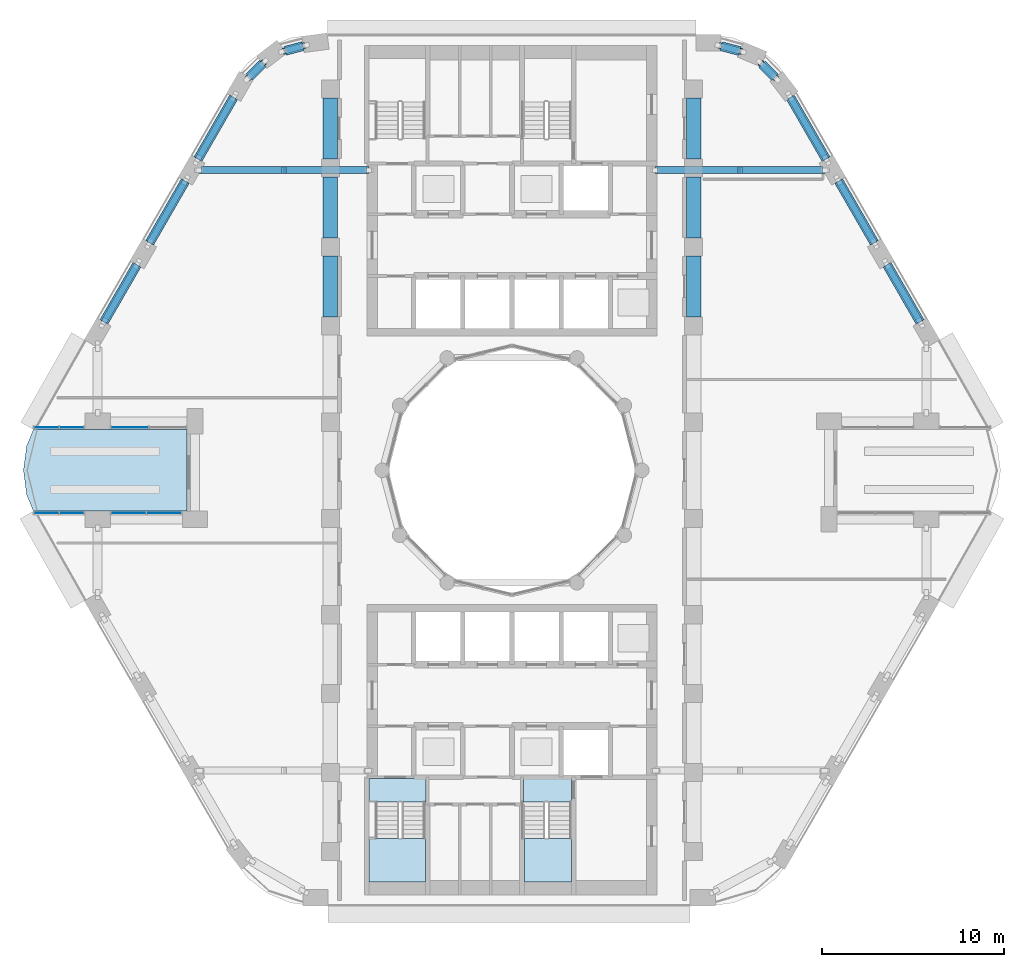
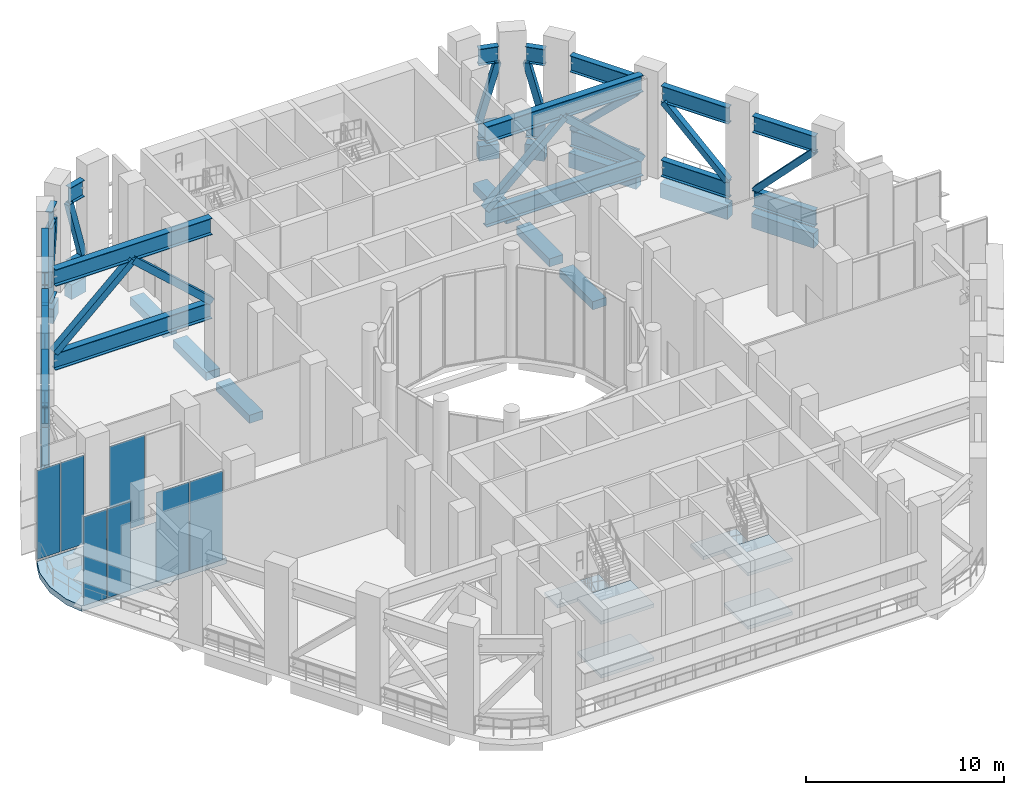
# One storey, part 6 of 21: 38 members, 16 beams, 7 plates, 7 slabs, 6 elements without a shape of their own.
"""IFC4 building model written with IfcOpenShell, lengths in metres."""

from ifc_helpers import new_model, si_unit, direction, frame, origin, origin_2d, place, context, subcontext, project, spatial, polyline, rectangle, hollow_rectangle, i_section, outline, extrude, material, layer, layer_set, material_profile, profile_set, type_object, element, aggregate, save


model = new_model("IFC4")

# Units and contexts
model_context = context("Model", 3, precision=1e-05, world=origin(), true_north=direction((0.0, 1.0)))
body_context = subcontext(model_context, "Body", "Model", "MODEL_VIEW")
ifc_project = project(units=[si_unit("LENGTHUNIT", "METRE"), si_unit("AREAUNIT", "SQUARE_METRE"), si_unit("VOLUMEUNIT", "CUBIC_METRE"), si_unit("PLANEANGLEUNIT", "RADIAN"), si_unit("MASSUNIT", "GRAM", prefix="KILO")], contexts=[model_context])

# Site, building, storey
site_placement = place(None, origin())
site = spatial("IfcSite", under=ifc_project, at=site_placement, CompositionType="ELEMENT")
building_placement = place(site_placement, origin())
building = spatial("IfcBuilding", under=site, at=building_placement, Name="Nakaniwa Court", CompositionType="ELEMENT")
storey_placement = place(building_placement, frame((0.0, 0.0, 120.60009765625)))
storey = spatial("IfcBuildingStorey", under=building, at=storey_placement, Name="S2", CompositionType="ELEMENT", Elevation=120.60009765625)

# Members
ifc_material_1 = material(Name="Steel Grade 350", Category="steel")
ifc_material_profile_1 = material_profile(ifc_material_1, i_section(OverallWidth=0.35009765625, OverallDepth=1.010009765625, WebThickness=0.01611328125, FlangeThickness=0.02490234375, at=origin_2d()), Name="1000WB258")
ifc_profile_set_1 = profile_set([ifc_material_profile_1], Name="Steel Grade 350")
member_type_1 = type_object("IfcMemberType", Name="BELT chord 1000 WB258", PredefinedType="CHORD", material=ifc_profile_set_1)
for number, where, z_axis, x_axis, name in (
    (1, (68.4931640625, 103.368408203125, 0.5048828125), (-0.966290412053, -0.257454538851, 0.0), (0.257454538851, -0.966290412053, 0.0), "BELT CHORD BT-01-B"),
    (2, (68.4931640625, 103.368408203125, 5.0849609375), (-0.966290412053, -0.257454538851, 0.0), (0.257454538851, -0.966290412053, 0.0), "BELT CHORD BT-01-T"),
):
    element("IfcMember", number, at=place(storey_placement, frame(where, z_axis=z_axis, x_axis=x_axis)), inside=storey, type_object=member_type_1, Name=name, PredefinedType="CHORD", context=body_context, shape_type="SweptSolid", body=[
        extrude(i_section(OverallWidth=0.35009765625, OverallDepth=1.010009765625, WebThickness=0.01611328125, FlangeThickness=0.02490234375, at=origin_2d()), origin(), (0.0, 0.0, 1.0), 1.022216796875),
    ])
for number, where, z_axis, x_axis, name in (
    (3, (66.274169921875, 102.41015625, 0.5048828125), (-0.70606530329, -0.708146727374, 0.0), (0.708146727374, -0.70606530329, 0.0), "BELT CHORD BT-02-B"),
    (4, (66.274169921875, 102.41015625, 5.0849609375), (-0.70606530329, -0.708146727374, 0.0), (0.708146727374, -0.70606530329, 0.0), "BELT CHORD BT-02-T"),
):
    element("IfcMember", number, at=place(storey_placement, frame(where, z_axis=z_axis, x_axis=x_axis)), inside=storey, type_object=member_type_1, Name=name, PredefinedType="CHORD", context=body_context, shape_type="SweptSolid", body=[
        extrude(i_section(OverallWidth=0.35009765625, OverallDepth=1.010009765625, WebThickness=0.01611328125, FlangeThickness=0.02490234375, at=origin_2d()), origin(), (0.0, 0.0, 1.0), 1.0556640625),
    ])
for number, where, z_axis, x_axis, name in (
    (5, (64.66748046875, 100.543212890625, 0.5048828125), (-0.49999161165, -0.866030246746, 0.0), (0.866030246746, -0.49999161165, 0.0), "BELT CHORD BT-03-B"),
    (6, (64.66748046875, 100.543212890625, 5.0849609375), (-0.49999161165, -0.866030246746, 0.0), (0.866030246746, -0.49999161165, 0.0), "BELT CHORD BT-03-T"),
    (7, (62.00439453125, 95.930908203125, 0.5048828125), (-0.49999161165, -0.866030246746, 0.0), (0.866030246746, -0.49999161165, 0.0), "BELT CHORD BT-04-B"),
    (8, (62.00439453125, 95.930908203125, 5.0849609375), (-0.49999161165, -0.866030246746, 0.0), (0.866030246746, -0.49999161165, 0.0), "BELT CHORD BT-04-T"),
):
    element("IfcMember", number, at=place(storey_placement, frame(where, z_axis=z_axis, x_axis=x_axis)), inside=storey, type_object=member_type_1, Name=name, PredefinedType="CHORD", context=body_context, shape_type="SweptSolid", body=[
        extrude(i_section(OverallWidth=0.35009765625, OverallDepth=1.010009765625, WebThickness=0.01611328125, FlangeThickness=0.02490234375, at=origin_2d()), origin(), (0.0, 0.0, 1.0), 3.92578125),
    ])
for number, where, z_axis, x_axis, name in (
    (9, (59.341552734375, 91.318603515625, 0.5048828125), (-0.499988394233, -0.866032104273, 0.0), (0.866032104273, -0.499988394233, 0.0), "BELT CHORD BT-05-B"),
    (10, (59.341552734375, 91.318603515625, 5.0849609375), (-0.499988394233, -0.866032104273, 0.0), (0.866032104273, -0.499988394233, 0.0), "BELT CHORD BT-05-T"),
    (11, (102.472900390625, 88.17578125, 0.5048828125), (-0.499988394233, 0.866032104273, 0.0), (-0.866032104273, -0.499988394233, 0.0), "BELT CHORD BT-18-B"),
    (12, (102.472900390625, 88.17578125, 5.0849609375), (-0.499988394233, 0.866032104273, 0.0), (-0.866032104273, -0.499988394233, 0.0), "BELT CHORD BT-18-T"),
):
    element("IfcMember", number, at=place(storey_placement, frame(where, z_axis=z_axis, x_axis=x_axis)), inside=storey, type_object=member_type_1, Name=name, PredefinedType="CHORD", context=body_context, shape_type="SweptSolid", body=[
        extrude(i_section(OverallWidth=0.35009765625, OverallDepth=1.010009765625, WebThickness=0.01611328125, FlangeThickness=0.02490234375, at=origin_2d()), origin(), (0.0, 0.0, 1.0), 3.62890625),
    ])
for number, where, z_axis, x_axis, name in (
    (13, (99.95849609375, 92.531005859375, 0.5048828125), (-0.49999161165, 0.866030246746, 0.0), (-0.866030246746, -0.49999161165, 0.0), "BELT CHORD BT-19-B"),
    (14, (99.95849609375, 92.531005859375, 5.0849609375), (-0.49999161165, 0.866030246746, 0.0), (-0.866030246746, -0.49999161165, 0.0), "BELT CHORD BT-19-T"),
):
    element("IfcMember", number, at=place(storey_placement, frame(where, z_axis=z_axis, x_axis=x_axis)), inside=storey, type_object=member_type_1, Name=name, PredefinedType="CHORD", context=body_context, shape_type="SweptSolid", body=[
        extrude(i_section(OverallWidth=0.35009765625, OverallDepth=1.010009765625, WebThickness=0.01611328125, FlangeThickness=0.02490234375, at=origin_2d()), origin(), (0.0, 0.0, 1.0), 3.92578125),
    ])
for number, where, z_axis, x_axis, name in (
    (15, (97.29541015625, 97.143310546875, 0.5048828125), (-0.499997407846, 0.86602690036, 0.0), (-0.86602690036, -0.499997407846, 0.0), "BELT CHORD BT-20-B"),
    (16, (97.29541015625, 97.143310546875, 5.0849609375), (-0.499997407846, 0.86602690036, 0.0), (-0.86602690036, -0.499997407846, 0.0), "BELT CHORD BT-20-T"),
):
    element("IfcMember", number, at=place(storey_placement, frame(where, z_axis=z_axis, x_axis=x_axis)), inside=storey, type_object=member_type_1, Name=name, PredefinedType="CHORD", context=body_context, shape_type="SweptSolid", body=[
        extrude(i_section(OverallWidth=0.35009765625, OverallDepth=1.010009765625, WebThickness=0.01611328125, FlangeThickness=0.02490234375, at=origin_2d()), origin(), (0.0, 0.0, 1.0), 3.919921875),
    ])
for number, where, z_axis, x_axis, name in (
    (17, (94.484130859375, 101.6494140625, 0.5048828125), (-0.705911336947, 0.7083002078, 0.0), (-0.7083002078, -0.705911336947, 0.0), "BELT CHORD BT-21-B"),
    (18, (94.484130859375, 101.6494140625, 5.0849609375), (-0.705911336947, 0.7083002078, 0.0), (-0.7083002078, -0.705911336947, 0.0), "BELT CHORD BT-21-T"),
):
    element("IfcMember", number, at=place(storey_placement, frame(where, z_axis=z_axis, x_axis=x_axis)), inside=storey, type_object=member_type_1, Name=name, PredefinedType="CHORD", context=body_context, shape_type="SweptSolid", body=[
        extrude(i_section(OverallWidth=0.35009765625, OverallDepth=1.010009765625, WebThickness=0.01611328125, FlangeThickness=0.02490234375, at=origin_2d()), origin(), (0.0, 0.0, 1.0), 1.02197265625),
    ])
for number, where, z_axis, x_axis, name in (
    (19, (92.544921875, 103.091796875, 0.5048828125), (-0.966315487466, 0.257360406209, 0.0), (-0.257360406209, -0.966315487466, 0.0), "BELT CHORD BT-22-B"),
    (20, (92.544921875, 103.091796875, 5.0849609375), (-0.966315487466, 0.257360406209, 0.0), (-0.257360406209, -0.966315487466, 0.0), "BELT CHORD BT-22-T"),
):
    element("IfcMember", number, at=place(storey_placement, frame(where, z_axis=z_axis, x_axis=x_axis)), inside=storey, type_object=member_type_1, Name=name, PredefinedType="CHORD", context=body_context, shape_type="SweptSolid", body=[
        extrude(i_section(OverallWidth=0.35009765625, OverallDepth=1.010009765625, WebThickness=0.01611328125, FlangeThickness=0.02490234375, at=origin_2d()), origin(), (0.0, 0.0, 1.0), 1.055908203125),
    ])
ifc_material_profile_2 = material_profile(ifc_material_1, hollow_rectangle(XDim=0.35009765625, YDim=0.35009765625, WallThickness=0.01611328125, at=origin_2d()), Name="BELT diagonal 350x350x16 SHS")
ifc_profile_set_2 = profile_set([ifc_material_profile_2], Name="Steel Grade 350")
member_type_2 = type_object("IfcMemberType", Name="BELT diagonal 350x350x16 SHS", PredefinedType="BRACE", material=ifc_profile_set_2)
member_1_placement = place(storey_placement, frame((68.45458984375, 103.358154296875, 1.010009765625), z_axis=(-0.246644890195, -0.065727887628, 0.96687441942), x_axis=(0.257501408958, -0.966277922952, 0.0)))
element("IfcMember", 21, at=member_1_placement, inside=storey, type_object=member_type_2, Name="BELT DIAGONAL BT-01-D", PredefinedType="BRACE", context=body_context, shape_type="SweptSolid", body=[
    extrude(hollow_rectangle(XDim=0.35009765625, YDim=0.35009765625, WallThickness=0.01611328125, at=origin_2d()), origin(), (0.0, 0.0, 1.0), 3.692138671875),
])
member_2_placement = place(storey_placement, frame((66.245849609375, 102.381591796875, 4.579833984375), z_axis=(-0.186106669669, -0.186634444698, -0.964640809606), x_axis=(0.708107284502, -0.706104860226, 0.0)))
element("IfcMember", 22, at=member_2_placement, inside=storey, type_object=member_type_2, Name="BELT DIAGONAL BT-02-D", PredefinedType="BRACE", context=body_context, shape_type="SweptSolid", body=[
    extrude(hollow_rectangle(XDim=0.35009765625, YDim=0.35009765625, WallThickness=0.01611328125, at=origin_2d()), origin(), (0.0, 0.0, 1.0), 3.70068359375),
])
for number, where, z_axis, x_axis, name in (
    (23, (64.617431640625, 100.456787109375, 1.010009765625), (-0.361045341506, -0.62533564129, 0.691810376556), (0.866020821829, -0.500007936096, 0.0), "BELT DIAGONAL BT-03-D"),
    (24, (61.95458984375, 95.84423828125, 4.579833984375), (-0.361045341506, -0.62533564129, -0.691810376556), (0.866020821829, -0.500007936096, 0.0), "BELT DIAGONAL BT-04-D"),
):
    element("IfcMember", number, at=place(storey_placement, frame(where, z_axis=z_axis, x_axis=x_axis)), inside=storey, type_object=member_type_2, Name=name, PredefinedType="BRACE", context=body_context, shape_type="SweptSolid", body=[
        extrude(hollow_rectangle(XDim=0.35009765625, YDim=0.35009765625, WallThickness=0.01611328125, at=origin_2d()), origin(), (0.0, 0.0, 1.0), 5.16015625),
    ])
for number, where, z_axis, x_axis, name in (
    (25, (59.29150390625, 91.23193359375, 1.010009765625), (-0.346348676285, -0.599920101062, 0.721206258138), (0.866035002231, -0.499983374634, 0.0), "BELT DIAGONAL BT-05-D"),
    (26, (102.4228515625, 88.262451171875, 4.579833984375), (-0.346348676285, 0.599920101062, -0.721206258138), (-0.866035002231, -0.499983374634, 0.0), "BELT DIAGONAL BT-18-D"),
):
    element("IfcMember", number, at=place(storey_placement, frame(where, z_axis=z_axis, x_axis=x_axis)), inside=storey, type_object=member_type_2, Name=name, PredefinedType="BRACE", context=body_context, shape_type="SweptSolid", body=[
        extrude(hollow_rectangle(XDim=0.35009765625, YDim=0.35009765625, WallThickness=0.01611328125, at=origin_2d()), origin(), (0.0, 0.0, 1.0), 4.94970703125),
    ])
member_3_placement = place(storey_placement, frame((99.908447265625, 92.617431640625, 1.010009765625), z_axis=(-0.361045341506, 0.62533564129, 0.691810376556), x_axis=(-0.866020821829, -0.500007936096, 0.0)))
element("IfcMember", 27, at=member_3_placement, inside=storey, type_object=member_type_2, Name="BELT DIAGONAL BT-19-D", PredefinedType="BRACE", context=body_context, shape_type="SweptSolid", body=[
    extrude(hollow_rectangle(XDim=0.35009765625, YDim=0.35009765625, WallThickness=0.01611328125, at=origin_2d()), origin(), (0.0, 0.0, 1.0), 5.16015625),
])
member_4_placement = place(storey_placement, frame((97.24560546875, 97.22998046875, 4.579833984375), z_axis=(-0.360786256976, 0.624829329413, -0.692402762764), x_axis=(-0.866000871473, -0.500042488803, 0.0)))
element("IfcMember", 28, at=member_4_placement, inside=storey, type_object=member_type_2, Name="BELT DIAGONAL BT-20-D", PredefinedType="BRACE", context=body_context, shape_type="SweptSolid", body=[
    extrude(hollow_rectangle(XDim=0.35009765625, YDim=0.35009765625, WallThickness=0.01611328125, at=origin_2d()), origin(), (0.0, 0.0, 1.0), 5.15576171875),
])
member_5_placement = place(storey_placement, frame((94.455810546875, 101.677734375, 1.010009765625), z_axis=(-0.1801280243, 0.180723160945, 0.966898667886), x_axis=(-0.708272019317, -0.705939619693, 0.0)))
element("IfcMember", 29, at=member_5_placement, inside=storey, type_object=member_type_2, Name="BELT DIAGONAL BT-21-D", PredefinedType="BRACE", context=body_context, shape_type="SweptSolid", body=[
    extrude(hollow_rectangle(XDim=0.35009765625, YDim=0.35009765625, WallThickness=0.01611328125, at=origin_2d()), origin(), (0.0, 0.0, 1.0), 3.692138671875),
])
member_6_placement = place(storey_placement, frame((92.506103515625, 103.102294921875, 4.579833984375), z_axis=(-0.254715858684, 0.067818674625, -0.964634883625), x_axis=(-0.257288767684, -0.966334564229, 0.0)))
element("IfcMember", 30, at=member_6_placement, inside=storey, type_object=member_type_2, Name="BELT DIAGONAL BT-22-D", PredefinedType="BRACE", context=body_context, shape_type="SweptSolid", body=[
    extrude(hollow_rectangle(XDim=0.35009765625, YDim=0.35009765625, WallThickness=0.01611328125, at=origin_2d()), origin(), (0.0, 0.0, 1.0), 3.70068359375),
])

# Beams
ifc_material_2 = material(Name="Concrete C80/100", Category="concrete")
ifc_material_profile_3 = material_profile(ifc_material_2, rectangle(XDim=0.5, YDim=0.89990234375, at=origin_2d()), Name="Concrete C80/100 RC 500x900 spandrel beam")
ifc_profile_set_3 = profile_set([ifc_material_profile_3], Name="Concrete C80/100")
beam_type_1 = type_object("IfcBeamType", Name="Concrete C80/100 RC 500x900 spandrel beam", PredefinedType="BEAM", material=ifc_profile_set_3)
beam_1_placement = place(storey_placement, frame((68.4931640625, 103.368408203125, -0.800048828125), z_axis=(-0.966290412053, -0.257454538851, 0.0), x_axis=(0.257454538851, -0.966290412053, 0.0)))
element("IfcBeam", 31, at=beam_1_placement, inside=storey, type_object=beam_type_1, Name="SPANDREL BEAM", PredefinedType="BEAM", context=body_context, shape_type="SweptSolid", body=[
    extrude(rectangle(XDim=0.5, YDim=0.89990234375, at=origin_2d()), origin(), (0.0, 0.0, 1.0), 1.022216796875),
])
beam_2_placement = place(storey_placement, frame((66.274169921875, 102.41015625, -0.800048828125), z_axis=(-0.70606530329, -0.708146727374, 0.0), x_axis=(0.708146727374, -0.70606530329, 0.0)))
element("IfcBeam", 32, at=beam_2_placement, inside=storey, type_object=beam_type_1, Name="SPANDREL BEAM", PredefinedType="BEAM", context=body_context, shape_type="SweptSolid", body=[
    extrude(rectangle(XDim=0.5, YDim=0.89990234375, at=origin_2d()), origin(), (0.0, 0.0, 1.0), 1.0556640625),
])
for number, where, z_axis, x_axis, name in (
    (33, (64.66748046875, 100.543212890625, -0.800048828125), (-0.49999161165, -0.866030246746, 0.0), (0.866030246746, -0.49999161165, 0.0), "SPANDREL BEAM"),
    (34, (62.00439453125, 95.930908203125, -0.800048828125), (-0.49999161165, -0.866030246746, 0.0), (0.866030246746, -0.49999161165, 0.0), "SPANDREL BEAM"),
):
    element("IfcBeam", number, at=place(storey_placement, frame(where, z_axis=z_axis, x_axis=x_axis)), inside=storey, type_object=beam_type_1, Name=name, PredefinedType="BEAM", context=body_context, shape_type="SweptSolid", body=[
        extrude(rectangle(XDim=0.5, YDim=0.89990234375, at=origin_2d()), origin(), (0.0, 0.0, 1.0), 3.92578125),
    ])
for number, where, z_axis, x_axis, name in (
    (35, (59.341552734375, 91.318603515625, -0.800048828125), (-0.499988394233, -0.866032104273, 0.0), (0.866032104273, -0.499988394233, 0.0), "SPANDREL BEAM"),
    (36, (102.472900390625, 88.17578125, -0.800048828125), (-0.499988394233, 0.866032104273, 0.0), (-0.866032104273, -0.499988394233, 0.0), "SPANDREL BEAM"),
):
    element("IfcBeam", number, at=place(storey_placement, frame(where, z_axis=z_axis, x_axis=x_axis)), inside=storey, type_object=beam_type_1, Name=name, PredefinedType="BEAM", context=body_context, shape_type="SweptSolid", body=[
        extrude(rectangle(XDim=0.5, YDim=0.89990234375, at=origin_2d()), origin(), (0.0, 0.0, 1.0), 3.62890625),
    ])
beam_3_placement = place(storey_placement, frame((99.95849609375, 92.531005859375, -0.800048828125), z_axis=(-0.49999161165, 0.866030246746, 0.0), x_axis=(-0.866030246746, -0.49999161165, 0.0)))
element("IfcBeam", 37, at=beam_3_placement, inside=storey, type_object=beam_type_1, Name="SPANDREL BEAM", PredefinedType="BEAM", context=body_context, shape_type="SweptSolid", body=[
    extrude(rectangle(XDim=0.5, YDim=0.89990234375, at=origin_2d()), origin(), (0.0, 0.0, 1.0), 3.92578125),
])
beam_4_placement = place(storey_placement, frame((97.29541015625, 97.143310546875, -0.800048828125), z_axis=(-0.499997407846, 0.86602690036, 0.0), x_axis=(-0.86602690036, -0.499997407846, 0.0)))
element("IfcBeam", 38, at=beam_4_placement, inside=storey, type_object=beam_type_1, Name="SPANDREL BEAM", PredefinedType="BEAM", context=body_context, shape_type="SweptSolid", body=[
    extrude(rectangle(XDim=0.5, YDim=0.89990234375, at=origin_2d()), origin(), (0.0, 0.0, 1.0), 3.919921875),
])
beam_5_placement = place(storey_placement, frame((94.484130859375, 101.6494140625, -0.800048828125), z_axis=(-0.705911336947, 0.7083002078, 0.0), x_axis=(-0.7083002078, -0.705911336947, 0.0)))
element("IfcBeam", 39, at=beam_5_placement, inside=storey, type_object=beam_type_1, Name="SPANDREL BEAM", PredefinedType="BEAM", context=body_context, shape_type="SweptSolid", body=[
    extrude(rectangle(XDim=0.5, YDim=0.89990234375, at=origin_2d()), origin(), (0.0, 0.0, 1.0), 1.02197265625),
])
beam_6_placement = place(storey_placement, frame((92.544921875, 103.091796875, -0.800048828125), z_axis=(-0.966315487466, 0.257360406209, 0.0), x_axis=(-0.257360406209, -0.966315487466, 0.0)))
element("IfcBeam", 40, at=beam_6_placement, inside=storey, type_object=beam_type_1, Name="SPANDREL BEAM", PredefinedType="BEAM", context=body_context, shape_type="SweptSolid", body=[
    extrude(rectangle(XDim=0.5, YDim=0.89990234375, at=origin_2d()), origin(), (0.0, 0.0, 1.0), 1.055908203125),
])
ifc_material_profile_4 = material_profile(ifc_material_2, rectangle(XDim=0.800048828125, YDim=0.5, at=origin_2d()), Name="Concrete C80/100 RC 800x500 ring beam")
ifc_profile_set_4 = profile_set([ifc_material_profile_4], Name="Concrete C80/100")
beam_type_2 = type_object("IfcBeamType", Name="Concrete C80/100 RC 800x500 ring beam", PredefinedType="BEAM", material=ifc_profile_set_4)
beam_7_placement = place(storey_placement, frame((90.0, 88.449951171875, -0.60009765625), z_axis=(0.0, 1.0, 0.0), x_axis=(-1.0, 0.0, 0.0)))
element("IfcBeam", 41, at=beam_7_placement, inside=storey, type_object=beam_type_2, Name="RING BEAM", PredefinedType="BEAM", context=body_context, shape_type="SweptSolid", body=[
    extrude(rectangle(XDim=0.800048828125, YDim=0.5, at=origin_2d()), origin(), (0.0, 0.0, 1.0), 3.35009765625),
])
beam_8_placement = place(storey_placement, frame((90.0, 92.800048828125, -0.60009765625), z_axis=(0.0, 1.0, 0.0), x_axis=(-1.0, 0.0, 0.0)))
element("IfcBeam", 42, at=beam_8_placement, inside=storey, type_object=beam_type_2, Name="RING BEAM", PredefinedType="BEAM", context=body_context, shape_type="SweptSolid", body=[
    extrude(rectangle(XDim=0.800048828125, YDim=0.5, at=origin_2d()), origin(), (0.0, 0.0, 1.0), 3.349853515625),
])
for number, where, z_axis, x_axis, name in (
    (43, (90.0, 97.14990234375, -0.60009765625), (0.0, 1.0, 0.0), (-1.0, 0.0, 0.0), "RING BEAM"),
    (44, (70.0, 100.5, -0.60009765625), (0.0, -1.0, 0.0), (1.0, 0.0, 0.0), "RING BEAM"),
):
    element("IfcBeam", number, at=place(storey_placement, frame(where, z_axis=z_axis, x_axis=x_axis)), inside=storey, type_object=beam_type_2, Name=name, PredefinedType="BEAM", context=body_context, shape_type="SweptSolid", body=[
        extrude(rectangle(XDim=0.800048828125, YDim=0.5, at=origin_2d()), origin(), (0.0, 0.0, 1.0), 3.35009765625),
    ])
beam_9_placement = place(storey_placement, frame((70.0, 96.14990234375, -0.60009765625), z_axis=(0.0, -1.0, 0.0), x_axis=(1.0, 0.0, 0.0)))
element("IfcBeam", 45, at=beam_9_placement, inside=storey, type_object=beam_type_2, Name="RING BEAM", PredefinedType="BEAM", context=body_context, shape_type="SweptSolid", body=[
    extrude(rectangle(XDim=0.800048828125, YDim=0.5, at=origin_2d()), origin(), (0.0, 0.0, 1.0), 3.349853515625),
])
beam_10_placement = place(storey_placement, frame((70.0, 91.800048828125, -0.60009765625), z_axis=(0.0, -1.0, 0.0), x_axis=(1.0, 0.0, 0.0)))
element("IfcBeam", 46, at=beam_10_placement, inside=storey, type_object=beam_type_2, Name="RING BEAM", PredefinedType="BEAM", context=body_context, shape_type="SweptSolid", body=[
    extrude(rectangle(XDim=0.800048828125, YDim=0.5, at=origin_2d()), origin(), (0.0, 0.0, 1.0), 3.35009765625),
])

# Members
ifc_material_profile_5 = material_profile(ifc_material_1, i_section(OverallWidth=0.39990234375, OverallDepth=1.02392578125, WebThickness=0.01611328125, FlangeThickness=0.031982421875, at=origin_2d()), Name="1000WB322")
ifc_profile_set_5 = profile_set([ifc_material_profile_5], Name="Steel Grade 350")
member_type_3 = type_object("IfcMemberType", Name="OUTRIGGER chord 1000 WB322", PredefinedType="CHORD", material=ifc_profile_set_5)
for number, where, z_axis, x_axis, name in (
    (47, (88.0, 96.537109375, 0.511962890625), (1.0, 0.0, 0.0), (0.0, 1.0, 0.0), "OUTRIGGER CHORD OT-01-B"),
    (48, (88.0, 96.537109375, 5.677978515625), (1.0, 0.0, 0.0), (0.0, 1.0, 0.0), "OUTRIGGER CHORD OT-01-T"),
    (49, (72.0, 96.537109375, 0.511962890625), (-1.0, 0.0, 0.0), (0.0, -1.0, 0.0), "OUTRIGGER CHORD OT-02-B"),
    (50, (72.0, 96.537109375, 5.677978515625), (-1.0, 0.0, 0.0), (0.0, -1.0, 0.0), "OUTRIGGER CHORD OT-02-T"),
):
    element("IfcMember", number, at=place(storey_placement, frame(where, z_axis=z_axis, x_axis=x_axis)), inside=storey, type_object=member_type_3, Name=name, PredefinedType="CHORD", context=body_context, shape_type="SweptSolid", body=[
        extrude(i_section(OverallWidth=0.39990234375, OverallDepth=1.02392578125, WebThickness=0.01611328125, FlangeThickness=0.031982421875, at=origin_2d()), origin(), (0.0, 0.0, 1.0), 9.1259765625),
    ])
ifc_material_profile_6 = material_profile(ifc_material_1, hollow_rectangle(XDim=0.39990234375, YDim=0.39990234375, WallThickness=0.01611328125, at=origin_2d()), Name="OUTRIGGER diagonal 400x400x16 SHS")
ifc_profile_set_6 = profile_set([ifc_material_profile_6], Name="Steel Grade 350")
member_type_4 = type_object("IfcMemberType", Name="OUTRIGGER diagonal 400x400x16 SHS", PredefinedType="BRACE", material=ifc_profile_set_6)
for number, where, z_axis, x_axis, name in (
    (51, (88.0, 96.537109375, 1.02392578125), (0.740431048151, 0.0, 0.672132325464), (0.0, 1.0, 0.0), "OUTRIGGER DIAGONAL OT-01-D1"),
    (52, (92.56298828125, 96.537109375, 5.166015625), (0.740431048151, 0.0, -0.672132325464), (0.0, 1.0, 0.0), "OUTRIGGER DIAGONAL OT-01-D2"),
    (53, (72.0, 96.537109375, 1.02392578125), (-0.740431048151, 0.0, 0.672132325464), (0.0, -1.0, 0.0), "OUTRIGGER DIAGONAL OT-02-D1"),
    (54, (67.43701171875, 96.537109375, 5.166015625), (-0.740431048151, 0.0, -0.672132325464), (0.0, -1.0, 0.0), "OUTRIGGER DIAGONAL OT-02-D2"),
):
    element("IfcMember", number, at=place(storey_placement, frame(where, z_axis=z_axis, x_axis=x_axis)), inside=storey, type_object=member_type_4, Name=name, PredefinedType="BRACE", context=body_context, shape_type="SweptSolid", body=[
        extrude(hollow_rectangle(XDim=0.39990234375, YDim=0.39990234375, WallThickness=0.01611328125, at=origin_2d()), origin(), (0.0, 0.0, 1.0), 6.16259765625),
    ])

# Curtain wall, plates
ifc_material_3 = material(Name="Black anodised aluminium frame with dark low-E laminated double glazing", Category="aluminium")
ifc_layer_1 = layer(ifc_material_3, 0.199951171875)
ifc_layer_set_1 = layer_set([ifc_layer_1], Name="Black anodised aluminium frame with dark low-E laminated double glazing")
curtain_wall_type = type_object("IfcCurtainWallType", Name="Amenity and sky level curtain wall", PredefinedType="NOTDEFINED", material=ifc_layer_set_1)
curtain_wall_1_placement = place(storey_placement, origin())
curtain_wall_1 = element("IfcCurtainWall", 55, at=curtain_wall_1_placement, inside=storey, type_object=curtain_wall_type, Name="S2 curtain wall CW3 15", PredefinedType="NOTDEFINED")
ifc_material_4 = material(Name="Dark toughened glass", Category="glass")
ifc_layer_2 = layer(ifc_material_4, 0.006, Name="Outer pane")
ifc_material_5 = material(Name="Argon filled cavity")
ifc_layer_3 = layer(ifc_material_5, 0.016, Name="Cavity")
ifc_material_6 = material(Name="Dark laminated safety glass", Category="glass")
ifc_layer_4 = layer(ifc_material_6, 0.006, Name="Inner pane")
ifc_layer_set_2 = layer_set([ifc_layer_2, ifc_layer_3, ifc_layer_4], Name="Dark low-E laminated double glazing")
plate_type = type_object("IfcPlateType", Name="Amenity and sky level curtain wall glass panel", PredefinedType="CURTAIN_PANEL", material=ifc_layer_set_2)
plate_1_placement = place(storey_placement, frame((54.366455078125, 82.35009765625, 0.054931640625), z_axis=(0.0, 0.0, 1.0), x_axis=(1.0, 0.0, 0.0)))
plate_1 = element("IfcPlate", 56, at=plate_1_placement, type_object=plate_type, Name="CW3 panel 1.1", PredefinedType="CURTAIN_PANEL", context=body_context, shape_type="SweptSolid", body=[
    extrude(rectangle(XDim=1.33642578125, YDim=0.028076171875, at=origin_2d()), origin(), (0.0, 0.0, 1.0), 5.47998046875),
])
plate_2_placement = place(storey_placement, frame((55.7578125, 82.35009765625, 0.054931640625), z_axis=(0.0, 0.0, 1.0), x_axis=(1.0, 0.0, 0.0)))
plate_2 = element("IfcPlate", 57, at=plate_2_placement, type_object=plate_type, Name="CW3 panel 2.1", PredefinedType="CURTAIN_PANEL", context=body_context, shape_type="SweptSolid", body=[
    extrude(rectangle(XDim=1.33642578125, YDim=0.028076171875, at=origin_2d()), origin(), (0.0, 0.0, 1.0), 5.47998046875),
])
aggregate(curtain_wall_1, [plate_1, plate_2])

# Curtain wall, plate
curtain_wall_2_placement = place(storey_placement, origin())
curtain_wall_2 = element("IfcCurtainWall", 58, at=curtain_wall_2_placement, inside=storey, type_object=curtain_wall_type, Name="S2 curtain wall CW3 16", PredefinedType="NOTDEFINED")
plate_3_placement = place(storey_placement, frame((58.9423828125, 82.35009765625, 0.054931640625), z_axis=(0.0, 0.0, 1.0), x_axis=(1.0, 0.0, 0.0)))
plate_3 = element("IfcPlate", 59, at=plate_3_placement, type_object=plate_type, Name="CW3 panel 1.1", PredefinedType="CURTAIN_PANEL", context=body_context, shape_type="SweptSolid", body=[
    extrude(rectangle(XDim=2.02880859375, YDim=0.028076171875, at=origin_2d()), origin(), (0.0, 0.0, 1.0), 5.47998046875),
])
aggregate(curtain_wall_2, [plate_3])

# Curtain wall, plates
curtain_wall_3_placement = place(storey_placement, origin())
curtain_wall_3 = element("IfcCurtainWall", 60, at=curtain_wall_3_placement, inside=storey, type_object=curtain_wall_type, Name="S2 curtain wall CW3 18", PredefinedType="NOTDEFINED")
plate_4_placement = place(storey_placement, frame((60.838623046875, 77.64990234375, 0.054931640625), z_axis=(0.0, 0.0, 1.0), x_axis=(-1.0, 0.0, 0.0)))
plate_4 = element("IfcPlate", 61, at=plate_4_placement, type_object=plate_type, Name="CW3 panel 1.1", PredefinedType="CURTAIN_PANEL", context=body_context, shape_type="SweptSolid", body=[
    extrude(rectangle(XDim=1.90380859375, YDim=0.028076171875, at=origin_2d()), origin(), (0.0, 0.0, 1.0), 5.47998046875),
])
plate_5_placement = place(storey_placement, frame((58.8798828125, 77.64990234375, 0.054931640625), z_axis=(0.0, 0.0, 1.0), x_axis=(-1.0, 0.0, 0.0)))
plate_5 = element("IfcPlate", 62, at=plate_5_placement, type_object=plate_type, Name="CW3 panel 2.1", PredefinedType="CURTAIN_PANEL", context=body_context, shape_type="SweptSolid", body=[
    extrude(rectangle(XDim=1.90380859375, YDim=0.028076171875, at=origin_2d()), origin(), (0.0, 0.0, 1.0), 5.47998046875),
])
aggregate(curtain_wall_3, [plate_4, plate_5])

curtain_wall_4_placement = place(storey_placement, origin())
curtain_wall_4 = element("IfcCurtainWall", 63, at=curtain_wall_4_placement, inside=storey, type_object=curtain_wall_type, Name="S2 curtain wall CW3 19", PredefinedType="NOTDEFINED")
plate_6_placement = place(storey_placement, frame((55.7578125, 77.64990234375, 0.054931640625), z_axis=(0.0, 0.0, 1.0), x_axis=(-1.0, 0.0, 0.0)))
plate_6 = element("IfcPlate", 64, at=plate_6_placement, type_object=plate_type, Name="CW3 panel 1.1", PredefinedType="CURTAIN_PANEL", context=body_context, shape_type="SweptSolid", body=[
    extrude(rectangle(XDim=1.33642578125, YDim=0.028076171875, at=origin_2d()), origin(), (0.0, 0.0, 1.0), 5.47998046875),
])
plate_7_placement = place(storey_placement, frame((54.366455078125, 77.64990234375, 0.054931640625), z_axis=(0.0, 0.0, 1.0), x_axis=(-1.0, 0.0, 0.0)))
plate_7 = element("IfcPlate", 65, at=plate_7_placement, type_object=plate_type, Name="CW3 panel 2.1", PredefinedType="CURTAIN_PANEL", context=body_context, shape_type="SweptSolid", body=[
    extrude(rectangle(XDim=1.33642578125, YDim=0.028076171875, at=origin_2d()), origin(), (0.0, 0.0, 1.0), 5.47998046875),
])
aggregate(curtain_wall_4, [plate_6, plate_7])

# Slab
ifc_layer_5 = layer(ifc_material_2, 0.35009765625)
ifc_layer_set_3 = layer_set([ifc_layer_5], Name="Concrete C80/100")
slab_type_1 = type_object("IfcSlabType", Name="Concrete C80/100 post tensioned floor slab 350", PredefinedType="FLOOR", material=ifc_layer_set_3)
slab_1_placement = place(storey_placement, frame((0.0, 0.0, -0.35009765625)))
element("IfcSlab", 66, at=slab_1_placement, inside=storey, type_object=slab_type_1, Name="BRIDGING TERRACE", PredefinedType="FLOOR", context=body_context, shape_type="SweptSolid", body=[
    extrude(outline(polyline([(53.643310546875, 82.25), (53.268798828125, 81.345947265625), (53.091552734375, 80.0), (53.268798828125, 78.654052734375), (53.643310546875, 77.75), (62.091552734375, 77.75), (62.091552734375, 82.25), (53.643310546875, 82.25)])), origin(), (0.0, 0.0, 1.0), 0.35009765625),
])

# Stair, slabs
stair_type = type_object("IfcStairType", Name="Dog leg stair 1300 wide 36 risers", PredefinedType="HALF_TURN_STAIR", material=ifc_material_2)
stair_1_placement = place(storey_placement, origin())
stair_1 = element("IfcStair", 67, at=stair_1_placement, inside=storey, type_object=stair_type, Name="S2 Stair ST3", PredefinedType="HALF_TURN_STAIR")
ifc_layer_6 = layer(ifc_material_2, 0.199951171875)
ifc_layer_set_4 = layer_set([ifc_layer_6], Name="Concrete C80/100")
slab_type_2 = type_object("IfcSlabType", Name="Stair landing concrete", PredefinedType="LANDING", material=ifc_layer_set_4)
slab_2_placement = place(storey_placement, frame((0.0, 0.0, 1.449951171875)))
slab_2 = element("IfcSlab", 68, at=slab_2_placement, type_object=slab_type_2, Name="ST3 landing 1", PredefinedType="LANDING", context=body_context, shape_type="SweptSolid", body=[
    extrude(outline(polyline([(75.22509765625, 57.324951171875), (75.22509765625, 59.72509765625), (72.125, 59.72509765625), (72.125, 57.324951171875), (75.22509765625, 57.324951171875)])), origin(), (0.0, 0.0, 1.0), 0.199951171875),
])
slab_3_placement = place(storey_placement, frame((0.0, 0.0, 3.099853515625)))
slab_3 = element("IfcSlab", 69, at=slab_3_placement, type_object=slab_type_2, Name="ST3 landing 2", PredefinedType="LANDING", context=body_context, shape_type="SweptSolid", body=[
    extrude(outline(polyline([(75.27490234375, 61.72509765625), (75.27490234375, 63.02490234375), (72.125, 63.02490234375), (72.125, 61.72509765625), (75.27490234375, 61.72509765625)])), origin(), (0.0, 0.0, 1.0), 0.199951171875),
])
slab_4_placement = place(storey_placement, frame((0.0, 0.0, 4.75)))
slab_4 = element("IfcSlab", 70, at=slab_4_placement, type_object=slab_type_2, Name="ST3 landing 3", PredefinedType="LANDING", context=body_context, shape_type="SweptSolid", body=[
    extrude(outline(polyline([(75.22509765625, 57.324951171875), (75.22509765625, 59.72509765625), (72.125, 59.72509765625), (72.125, 57.324951171875), (75.22509765625, 57.324951171875)])), origin(), (0.0, 0.0, 1.0), 0.199951171875),
])
aggregate(stair_1, [slab_2, slab_3, slab_4])

stair_2_placement = place(storey_placement, origin())
stair_2 = element("IfcStair", 71, at=stair_2_placement, inside=storey, type_object=stair_type, Name="S2 Stair ST4", PredefinedType="HALF_TURN_STAIR")
slab_5_placement = place(storey_placement, frame((0.0, 0.0, 1.449951171875)))
slab_5 = element("IfcSlab", 72, at=slab_5_placement, type_object=slab_type_2, Name="ST4 landing 1", PredefinedType="LANDING", context=body_context, shape_type="SweptSolid", body=[
    extrude(outline(polyline([(83.27490234375, 57.324951171875), (83.27490234375, 59.72509765625), (80.675048828125, 59.72509765625), (80.675048828125, 57.324951171875), (83.27490234375, 57.324951171875)])), origin(), (0.0, 0.0, 1.0), 0.199951171875),
])
slab_6_placement = place(storey_placement, frame((0.0, 0.0, 3.099853515625)))
slab_6 = element("IfcSlab", 73, at=slab_6_placement, type_object=slab_type_2, Name="ST4 landing 2", PredefinedType="LANDING", context=body_context, shape_type="SweptSolid", body=[
    extrude(outline(polyline([(83.27490234375, 61.72509765625), (83.27490234375, 63.02490234375), (80.625, 63.02490234375), (80.625, 61.72509765625), (83.27490234375, 61.72509765625)])), origin(), (0.0, 0.0, 1.0), 0.199951171875),
])
slab_7_placement = place(storey_placement, frame((0.0, 0.0, 4.75)))
slab_7 = element("IfcSlab", 74, at=slab_7_placement, type_object=slab_type_2, Name="ST4 landing 3", PredefinedType="LANDING", context=body_context, shape_type="SweptSolid", body=[
    extrude(outline(polyline([(83.27490234375, 57.324951171875), (83.27490234375, 59.72509765625), (80.675048828125, 59.72509765625), (80.675048828125, 57.324951171875), (83.27490234375, 57.324951171875)])), origin(), (0.0, 0.0, 1.0), 0.199951171875),
])
aggregate(stair_2, [slab_5, slab_6, slab_7])

save(model, "model.ifc")
